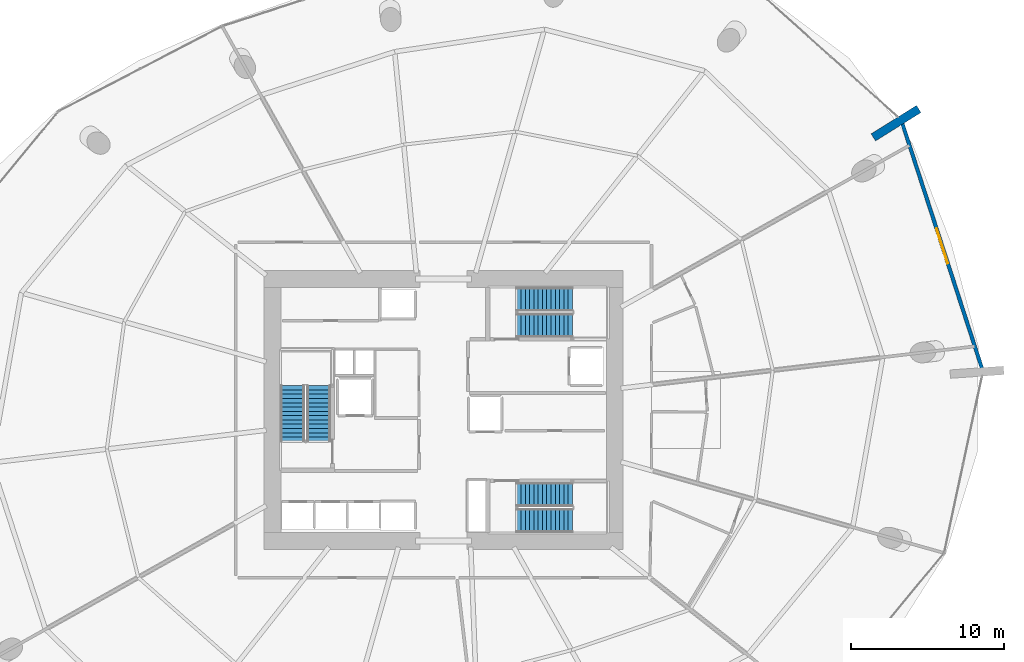
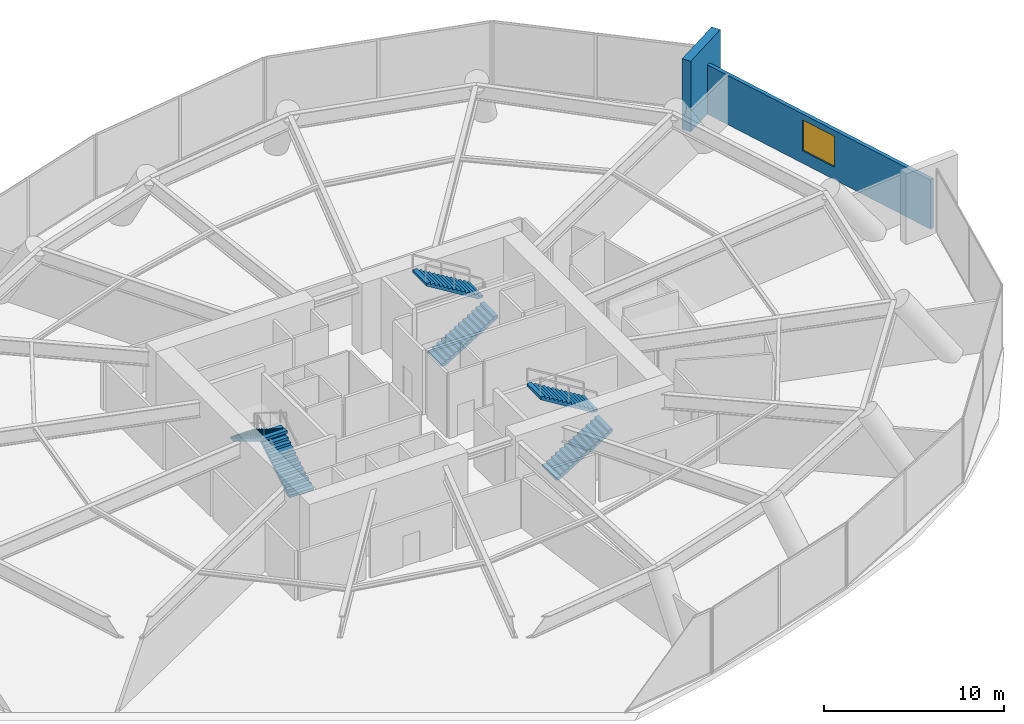
# One storey, part 19 of 21: 6 stair flights, 2 walls, 1 window, 1 opening, 3 elements without a shape of their own.
"""IFC4 building model written with IfcOpenShell, lengths in metres."""

from ifc_helpers import new_model, si_unit, direction, frame, frame_2d, origin, place, context, subcontext, project, spatial, polyline, rectangle, outline, extrude, material, layer, layer_set, type_object, element, fill, aggregate, save


model = new_model("IFC4")

# Units and contexts
model_context = context("Model", 3, precision=1e-05, world=origin(), true_north=direction((0.0, 1.0)))
body_context = subcontext(model_context, "Body", "Model", "MODEL_VIEW")
ifc_project = project(units=[si_unit("LENGTHUNIT", "METRE"), si_unit("AREAUNIT", "SQUARE_METRE"), si_unit("VOLUMEUNIT", "CUBIC_METRE"), si_unit("PLANEANGLEUNIT", "RADIAN"), si_unit("MASSUNIT", "GRAM", prefix="KILO")], contexts=[model_context])

# Site, building, storey
site_placement = place(None, origin())
site = spatial("IfcSite", under=ifc_project, at=site_placement, CompositionType="ELEMENT")
building_placement = place(site_placement, origin())
building = spatial("IfcBuilding", under=site, at=building_placement, Name="Kazma Halo Residences", CompositionType="ELEMENT")
storey_placement = place(building_placement, frame((0.0, 0.0, 21.60009765625)))
storey = spatial("IfcBuildingStorey", under=building, at=storey_placement, Name="L04", CompositionType="ELEMENT", Elevation=21.60009765625)

# Wall
ifc_material_1 = material(Name="Pale Concrete C60/75", Category="concrete")
ifc_layer_1 = layer(ifc_material_1, 0.550048828125)
ifc_layer_set_1 = layer_set([ifc_layer_1], Name="Pale Concrete C60/75")
wall_type_1 = type_object("IfcWallType", Name="WL-BLADE-550", PredefinedType="SOLIDWALL", material=ifc_layer_set_1)
wall_1_placement = place(storey_placement, frame((76.481201171875, 59.797119140625, 0.0), z_axis=(0.0, 0.0, 1.0), x_axis=(0.848053161125, 0.529911158502, 0.0)))
element("IfcWall", 1, at=wall_1_placement, inside=storey, type_object=wall_type_1, Name="L04 pale concrete structural blade fin wall BW-01", PredefinedType="SOLIDWALL", context=body_context, shape_type="SweptSolid", body=[
    extrude(rectangle(XDim=3.5, YDim=0.550048828125, at=frame_2d((1.75, 0.0))), origin(), (0.0, 0.0, 1.0), 4.7998046875),
])

# Wall, opening, window
ifc_material_2 = material(Name="Insulated Pale-Metal Composite Wall")
ifc_layer_2 = layer(ifc_material_2, 0.239990234375)
ifc_layer_set_2 = layer_set([ifc_layer_2], Name="Insulated Pale-Metal Composite Wall")
wall_type_2 = type_object("IfcWallType", Name="WL-EXT-HOST-240", PredefinedType="SOLIDWALL", material=ifc_layer_set_2)
wall_2_placement = place(storey_placement, frame((83.57275390625, 44.724609375, 0.0), z_axis=(0.0, 0.0, 1.0), x_axis=(-0.309022005354, 0.951054888115, 0.0)))
wall_2 = element("IfcWall", 2, at=wall_2_placement, inside=storey, type_object=wall_type_2, Name="L04 podium end wall B16", PredefinedType="SOLIDWALL", context=body_context, shape_type="SweptSolid", body=[
    extrude(rectangle(XDim=16.802734375, YDim=0.239990234375, at=frame_2d((8.4013671875, 0.0))), origin(), (0.0, 0.0, 1.0), 3.349853515625),
])
opening_placement = place(wall_2_placement, frame((7.201171875, 0.0, 0.85009765625)))
opening = element("IfcOpeningElement", 3, at=opening_placement, cuts=wall_2, Name="Opening W-2400", PredefinedType="OPENING", context=body_context, shape_type="SweptSolid", body=[
    extrude(rectangle(XDim=2.39990234375, YDim=2.10009765625, at=frame_2d((1.199951171875, 1.050048828125))), frame((0.0, 0.1298828125, 0.0), z_axis=(0.0, -1.0, 0.0), x_axis=(1.0, 0.0, 0.0)), (0.0, 0.0, 1.0), 0.260009765625),
])
ifc_material_3 = material(Name="Clear Triple-Silver Low-E Glass in Aluminium AW-6063 T6 Frame", Category="aluminium")
window_type = type_object("IfcWindowType", Name="WIN-POD-2400", PartitioningType="DOUBLE_PANEL_VERTICAL", PredefinedType="WINDOW", material=ifc_material_3)
window_placement = place(opening_placement, origin())
window = element("IfcWindow", 4, at=window_placement, inside=storey, type_object=window_type, Name="L04 podium vision window B16", OverallHeight=2.10009765625, OverallWidth=2.39990234375, PartitioningType="SINGLE_PANEL", PredefinedType="WINDOW", context=body_context, shape_type="SweptSolid", body=[
    extrude(rectangle(XDim=2.39990234375, YDim=2.10009765625, at=frame_2d((1.199951171875, 1.050048828125))), frame((0.0, 0.030029296875, 0.0), z_axis=(0.0, -1.0, 0.0), x_axis=(1.0, 0.0, 0.0)), (0.0, 0.0, 1.0), 0.06005859375),
])
fill(opening, window)

# Stair, stair flights
ifc_material_4 = material(Name="Concrete C50/60", Category="concrete")
stair_type = type_object("IfcStairType", Name="STR-POD", PredefinedType="HALF_TURN_STAIR", material=ifc_material_4)
stair_1_placement = place(storey_placement, origin())
stair_1 = element("IfcStair", 5, at=stair_1_placement, inside=storey, type_object=stair_type, Name="L04 Core exit stair ST-01", PredefinedType="HALF_TURN_STAIR")
stair_flight_type = type_object("IfcStairFlightType", Name="STR-POD-FLT", PredefinedType="STRAIGHT", material=ifc_material_4)
stair_flight_1_placement = place(storey_placement, frame((40.27490234375, 39.949951171875, 0.0), z_axis=(0.0, 0.0, 1.0), x_axis=(0.0, 1.0, 0.0)))
stair_flight_1 = element("IfcStairFlight", 6, at=stair_flight_1_placement, type_object=stair_flight_type, Name="ST-01 flight 1", NumberOfRisers=14, NumberOfTreads=13, PredefinedType="STRAIGHT", RiserHeight=0.171428571, TreadLength=0.28, context=body_context, shape_type="SweptSolid", body=[
    extrude(outline(polyline([(0.0, 0.0), (0.0, 0.17138671875), (0.280029296875, 0.17138671875), (0.280029296875, 0.3427734375), (0.56005859375, 0.3427734375), (0.56005859375, 0.514404296875), (0.840087890625, 0.514404296875), (0.840087890625, 0.685791015625), (1.1201171875, 0.685791015625), (1.1201171875, 0.857177734375), (1.39990234375, 0.857177734375), (1.39990234375, 1.028564453125), (1.679931640625, 1.028564453125), (1.679931640625, 1.199951171875), (1.9599609375, 1.199951171875), (1.9599609375, 1.371337890625), (2.239990234375, 1.371337890625), (2.239990234375, 1.54296875), (2.52001953125, 1.54296875), (2.52001953125, 1.71435546875), (2.800048828125, 1.71435546875), (2.800048828125, 1.8857421875), (3.080078125, 1.8857421875), (3.080078125, 2.05712890625), (3.360107421875, 2.05712890625), (3.360107421875, 2.228515625), (3.639892578125, 2.228515625), (3.639892578125, 2.39990234375), (3.639892578125, 2.052734375), (0.287109375, 0.0), (0.0, 0.0)])), frame((0.0, 0.77490234375, 0.0), z_axis=(0.0, -1.0, 0.0), x_axis=(1.0, 0.0, 0.0)), (0.0, 0.0, 1.0), 1.550048828125),
])
stair_flight_2_placement = place(storey_placement, frame((38.574951171875, 43.590087890625, 2.39990234375), z_axis=(0.0, 0.0, 1.0), x_axis=(0.0, -1.0, 0.0)))
stair_flight_2 = element("IfcStairFlight", 7, at=stair_flight_2_placement, type_object=stair_flight_type, Name="ST-01 flight 2", NumberOfRisers=14, NumberOfTreads=13, PredefinedType="STRAIGHT", RiserHeight=0.171428571, TreadLength=0.28, context=body_context, shape_type="SweptSolid", body=[
    extrude(outline(polyline([(0.0, 0.0), (0.0, 0.17138671875), (0.280029296875, 0.17138671875), (0.280029296875, 0.3427734375), (0.56005859375, 0.3427734375), (0.56005859375, 0.514404296875), (0.840087890625, 0.514404296875), (0.840087890625, 0.685791015625), (1.1201171875, 0.685791015625), (1.1201171875, 0.857177734375), (1.39990234375, 0.857177734375), (1.39990234375, 1.028564453125), (1.679931640625, 1.028564453125), (1.679931640625, 1.199951171875), (1.9599609375, 1.199951171875), (1.9599609375, 1.371337890625), (2.239990234375, 1.371337890625), (2.239990234375, 1.54296875), (2.52001953125, 1.54296875), (2.52001953125, 1.71435546875), (2.800048828125, 1.71435546875), (2.800048828125, 1.8857421875), (3.080078125, 1.8857421875), (3.080078125, 2.05712890625), (3.360107421875, 2.05712890625), (3.360107421875, 2.228515625), (3.639892578125, 2.228515625), (3.639892578125, 2.39990234375), (3.639892578125, 2.052734375), (0.287109375, 0.0), (0.0, 0.0)])), frame((0.0, 0.77490234375, 0.0), z_axis=(0.0, -1.0, 0.0), x_axis=(1.0, 0.0, 0.0)), (0.0, 0.0, 1.0), 1.550048828125),
])
aggregate(stair_1, [stair_flight_1, stair_flight_2])

stair_2_placement = place(storey_placement, origin())
stair_2 = element("IfcStair", 8, at=stair_2_placement, inside=storey, type_object=stair_type, Name="L04 Core exit stair ST-02", PredefinedType="HALF_TURN_STAIR")
stair_flight_3_placement = place(storey_placement, frame((53.199951171875, 47.52490234375, 0.0), z_axis=(0.0, 0.0, 1.0), x_axis=(1.0, 0.0, 0.0)))
stair_flight_3 = element("IfcStairFlight", 9, at=stair_flight_3_placement, type_object=stair_flight_type, Name="ST-02 flight 1", NumberOfRisers=14, NumberOfTreads=13, PredefinedType="STRAIGHT", RiserHeight=0.171428571, TreadLength=0.28, context=body_context, shape_type="SweptSolid", body=[
    extrude(outline(polyline([(0.0, 0.0), (0.0, 0.17138671875), (0.280029296875, 0.17138671875), (0.280029296875, 0.3427734375), (0.56005859375, 0.3427734375), (0.56005859375, 0.514404296875), (0.840087890625, 0.514404296875), (0.840087890625, 0.685791015625), (1.1201171875, 0.685791015625), (1.1201171875, 0.857177734375), (1.39990234375, 0.857177734375), (1.39990234375, 1.028564453125), (1.679931640625, 1.028564453125), (1.679931640625, 1.199951171875), (1.9599609375, 1.199951171875), (1.9599609375, 1.371337890625), (2.239990234375, 1.371337890625), (2.239990234375, 1.54296875), (2.52001953125, 1.54296875), (2.52001953125, 1.71435546875), (2.800048828125, 1.71435546875), (2.800048828125, 1.8857421875), (3.080078125, 1.8857421875), (3.080078125, 2.05712890625), (3.360107421875, 2.05712890625), (3.360107421875, 2.228515625), (3.639892578125, 2.228515625), (3.639892578125, 2.39990234375), (3.639892578125, 2.052734375), (0.287109375, 0.0), (0.0, 0.0)])), frame((0.0, 0.77490234375, 0.0), z_axis=(0.0, -1.0, 0.0), x_axis=(1.0, 0.0, 0.0)), (0.0, 0.0, 1.0), 1.550048828125),
])
stair_flight_4_placement = place(storey_placement, frame((56.840087890625, 49.22509765625, 2.39990234375), z_axis=(0.0, 0.0, 1.0), x_axis=(-1.0, 0.0, 0.0)))
stair_flight_4 = element("IfcStairFlight", 10, at=stair_flight_4_placement, type_object=stair_flight_type, Name="ST-02 flight 2", NumberOfRisers=14, NumberOfTreads=13, PredefinedType="STRAIGHT", RiserHeight=0.171428571, TreadLength=0.28, context=body_context, shape_type="SweptSolid", body=[
    extrude(outline(polyline([(0.0, 0.0), (0.0, 0.17138671875), (0.280029296875, 0.17138671875), (0.280029296875, 0.3427734375), (0.56005859375, 0.3427734375), (0.56005859375, 0.514404296875), (0.840087890625, 0.514404296875), (0.840087890625, 0.685791015625), (1.1201171875, 0.685791015625), (1.1201171875, 0.857177734375), (1.39990234375, 0.857177734375), (1.39990234375, 1.028564453125), (1.679931640625, 1.028564453125), (1.679931640625, 1.199951171875), (1.9599609375, 1.199951171875), (1.9599609375, 1.371337890625), (2.239990234375, 1.371337890625), (2.239990234375, 1.54296875), (2.52001953125, 1.54296875), (2.52001953125, 1.71435546875), (2.800048828125, 1.71435546875), (2.800048828125, 1.8857421875), (3.080078125, 1.8857421875), (3.080078125, 2.05712890625), (3.360107421875, 2.05712890625), (3.360107421875, 2.228515625), (3.639892578125, 2.228515625), (3.639892578125, 2.39990234375), (3.639892578125, 2.052734375), (0.287109375, 0.0), (0.0, 0.0)])), frame((0.0, 0.77490234375, 0.0), z_axis=(0.0, -1.0, 0.0), x_axis=(1.0, 0.0, 0.0)), (0.0, 0.0, 1.0), 1.550048828125),
])
aggregate(stair_2, [stair_flight_3, stair_flight_4])

stair_3_placement = place(storey_placement, origin())
stair_3 = element("IfcStair", 11, at=stair_3_placement, inside=storey, type_object=stair_type, Name="L04 Core exit stair ST-03", PredefinedType="HALF_TURN_STAIR")
stair_flight_5_placement = place(storey_placement, frame((53.199951171875, 34.77490234375, 0.0), z_axis=(0.0, 0.0, 1.0), x_axis=(1.0, 0.0, 0.0)))
stair_flight_5 = element("IfcStairFlight", 12, at=stair_flight_5_placement, type_object=stair_flight_type, Name="ST-03 flight 1", NumberOfRisers=14, NumberOfTreads=13, PredefinedType="STRAIGHT", RiserHeight=0.171428571, TreadLength=0.28, context=body_context, shape_type="SweptSolid", body=[
    extrude(outline(polyline([(0.0, 0.0), (0.0, 0.17138671875), (0.280029296875, 0.17138671875), (0.280029296875, 0.3427734375), (0.56005859375, 0.3427734375), (0.56005859375, 0.514404296875), (0.840087890625, 0.514404296875), (0.840087890625, 0.685791015625), (1.1201171875, 0.685791015625), (1.1201171875, 0.857177734375), (1.39990234375, 0.857177734375), (1.39990234375, 1.028564453125), (1.679931640625, 1.028564453125), (1.679931640625, 1.199951171875), (1.9599609375, 1.199951171875), (1.9599609375, 1.371337890625), (2.239990234375, 1.371337890625), (2.239990234375, 1.54296875), (2.52001953125, 1.54296875), (2.52001953125, 1.71435546875), (2.800048828125, 1.71435546875), (2.800048828125, 1.8857421875), (3.080078125, 1.8857421875), (3.080078125, 2.05712890625), (3.360107421875, 2.05712890625), (3.360107421875, 2.228515625), (3.639892578125, 2.228515625), (3.639892578125, 2.39990234375), (3.639892578125, 2.052734375), (0.287109375, 0.0), (0.0, 0.0)])), frame((0.0, 0.77490234375, 0.0), z_axis=(0.0, -1.0, 0.0), x_axis=(1.0, 0.0, 0.0)), (0.0, 0.0, 1.0), 1.550048828125),
])
stair_flight_6_placement = place(storey_placement, frame((56.840087890625, 36.47509765625, 2.39990234375), z_axis=(0.0, 0.0, 1.0), x_axis=(-1.0, 0.0, 0.0)))
stair_flight_6 = element("IfcStairFlight", 13, at=stair_flight_6_placement, type_object=stair_flight_type, Name="ST-03 flight 2", NumberOfRisers=14, NumberOfTreads=13, PredefinedType="STRAIGHT", RiserHeight=0.171428571, TreadLength=0.28, context=body_context, shape_type="SweptSolid", body=[
    extrude(outline(polyline([(0.0, 0.0), (0.0, 0.17138671875), (0.280029296875, 0.17138671875), (0.280029296875, 0.3427734375), (0.56005859375, 0.3427734375), (0.56005859375, 0.514404296875), (0.840087890625, 0.514404296875), (0.840087890625, 0.685791015625), (1.1201171875, 0.685791015625), (1.1201171875, 0.857177734375), (1.39990234375, 0.857177734375), (1.39990234375, 1.028564453125), (1.679931640625, 1.028564453125), (1.679931640625, 1.199951171875), (1.9599609375, 1.199951171875), (1.9599609375, 1.371337890625), (2.239990234375, 1.371337890625), (2.239990234375, 1.54296875), (2.52001953125, 1.54296875), (2.52001953125, 1.71435546875), (2.800048828125, 1.71435546875), (2.800048828125, 1.8857421875), (3.080078125, 1.8857421875), (3.080078125, 2.05712890625), (3.360107421875, 2.05712890625), (3.360107421875, 2.228515625), (3.639892578125, 2.228515625), (3.639892578125, 2.39990234375), (3.639892578125, 2.052734375), (0.287109375, 0.0), (0.0, 0.0)])), frame((0.0, 0.77490234375, 0.0), z_axis=(0.0, -1.0, 0.0), x_axis=(1.0, 0.0, 0.0)), (0.0, 0.0, 1.0), 1.550048828125),
])
aggregate(stair_3, [stair_flight_5, stair_flight_6])

save(model, "model.ifc")
